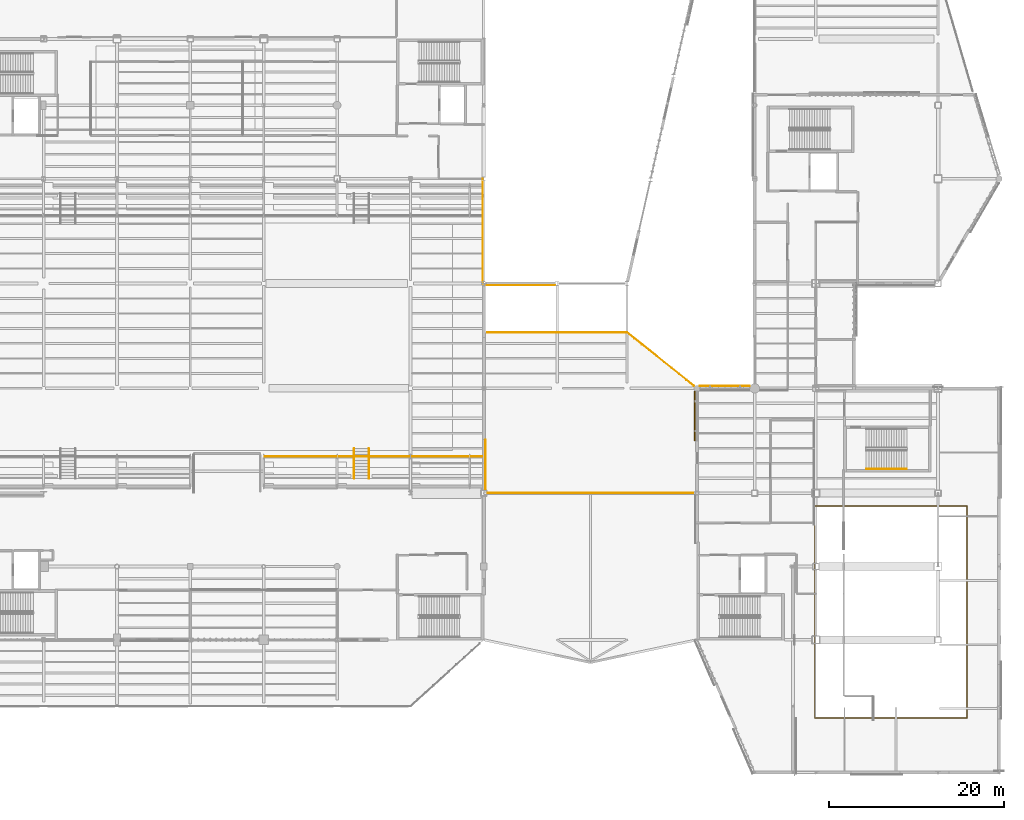
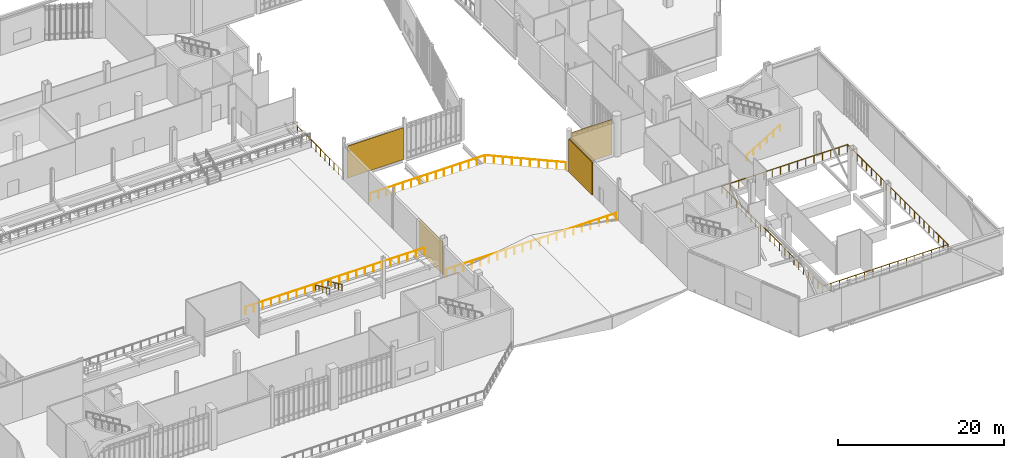
# One storey, part 126 of 135: 8 railings, 2 coverings, 2 shading devices.
"""IFC4 building model written with IfcOpenShell, lengths in metres."""

from ifc_helpers import new_model, si_unit, direction, frame, origin, origin_2d, place, context, subcontext, project, spatial, rectangle, circle, extrude, material, layer, layer_set, type_object, element, save


model = new_model("IFC4")

# Units and contexts
model_context = context("Model", 3, precision=1e-05, world=origin(), true_north=direction((0.0, 1.0)))
body_context = subcontext(model_context, "Body", "Model", "MODEL_VIEW")
ifc_project = project(units=[si_unit("LENGTHUNIT", "METRE"), si_unit("AREAUNIT", "SQUARE_METRE"), si_unit("VOLUMEUNIT", "CUBIC_METRE"), si_unit("PLANEANGLEUNIT", "RADIAN"), si_unit("MASSUNIT", "GRAM", prefix="KILO")], contexts=[model_context])

# Site, building, storey
site_placement = place(None, origin())
site = spatial("IfcSite", under=ifc_project, at=site_placement, CompositionType="ELEMENT")
building_placement = place(site_placement, origin())
building = spatial("IfcBuilding", under=site, at=building_placement, Name="Larkvane Passage Sports Hall", CompositionType="ELEMENT")
storey_placement = place(building_placement, frame((0.0, 0.0, 10.800048828125)))
storey = spatial("IfcBuildingStorey", under=building, at=storey_placement, Name="L02", CompositionType="ELEMENT", Elevation=10.800048828125)

# Coverings
ifc_material_1 = material(Name="Perforated anodised aluminium 5052-H32", Category="aluminium")
ifc_layer_1 = layer(ifc_material_1, 0.050048828125)
ifc_layer_set_1 = layer_set([ifc_layer_1], Name="Perforated anodised aluminium 5052-H32")
covering_type = type_object("IfcCoveringType", Name="COV-MESH-VEIL", PredefinedType="CLADDING", material=ifc_layer_set_1)
covering_1_placement = place(storey_placement, frame((97.82568359375, 63.402587890625, 0.074951171875), z_axis=(0.0, 0.0, 1.0), x_axis=(-1.0, 0.0, 0.0)))
element("IfcCovering", 1, at=covering_1_placement, inside=storey, type_object=covering_type, Name="Perforated cladding cassette L02-140", PredefinedType="CLADDING", context=body_context, shape_type="SweptSolid", body=[
    extrude(rectangle(XDim=7.8515625, YDim=0.050048828125, at=origin_2d()), origin(), (0.0, 0.0, 1.0), 4.7060546875),
])
covering_2_placement = place(storey_placement, frame((93.797607421875, 42.855712890625, 0.0751953125), z_axis=(0.0, 0.0, 1.0), x_axis=(0.0, -1.0, 0.0)))
element("IfcCovering", 2, at=covering_2_placement, inside=storey, type_object=covering_type, Name="Perforated cladding cassette L02-144", PredefinedType="CLADDING", context=body_context, shape_type="SweptSolid", body=[
    extrude(rectangle(XDim=5.719482421875, YDim=0.050048828125, at=origin_2d()), origin(), (0.0, 0.0, 1.0), 4.805908203125),
])

# Railings
ifc_material_2 = material(Name="Laminated toughened glass and stainless steel S355JR", Category="steel")
railing_type_1 = type_object("IfcRailingType", Name="RL-BALUST-1120", PredefinedType="BALUSTRADE", material=ifc_material_2)
railing_1_placement = place(storey_placement, frame((131.47998046875, 13.8798828125, 0.0)))
element("IfcRailing", 3, at=railing_1_placement, inside=storey, type_object=railing_type_1, Name="Atrium void balustrade L02-012", PredefinedType="BALUSTRADE", context=body_context, shape_type="SweptSolid", body=[
    extrude(circle(Radius=0.02392578125, at=origin_2d()), frame((0.001953125, 0.0, 1.09619140625), z_axis=(1.0, 0.0, 0.0), x_axis=(0.0, 1.0, 0.0)), (0.0, 0.0, 1.0), 17.43603515625),
    extrude(circle(Radius=0.02392578125, at=origin_2d()), frame((17.43994140625, 0.001953125, 1.09619140625), z_axis=(0.0, 1.0, 0.0), x_axis=(-1.0, 0.0, 0.0)), (0.0, 0.0, 1.0), 24.236328125),
    extrude(circle(Radius=0.02392578125, at=origin_2d()), frame((17.43798828125, 24.240234375, 1.09619140625), z_axis=(-1.0, 0.0, 0.0), x_axis=(0.0, -1.0, 0.0)), (0.0, 0.0, 1.0), 17.43603515625),
    extrude(circle(Radius=0.02392578125, at=origin_2d()), frame((0.0, 24.23828125, 1.09619140625), z_axis=(0.0, -1.0, 0.0), x_axis=(1.0, 0.0, 0.0)), (0.0, 0.0, 1.0), 24.236328125),
    extrude(circle(Radius=0.02099609375, at=origin_2d()), origin(), (0.0, 0.0, 1.0), 1.072021484375),
    extrude(circle(Radius=0.02099609375, at=origin_2d()), frame((1.16259765625, 0.0, 0.0)), (0.0, 0.0, 1.0), 1.072021484375),
    extrude(circle(Radius=0.02099609375, at=origin_2d()), frame((2.325439453125, 0.0, 0.0)), (0.0, 0.0, 1.0), 1.072021484375),
    extrude(circle(Radius=0.02099609375, at=origin_2d()), frame((3.488037109375, 0.0, 0.0)), (0.0, 0.0, 1.0), 1.072021484375),
    extrude(circle(Radius=0.02099609375, at=origin_2d()), frame((4.650634765625, 0.0, 0.0)), (0.0, 0.0, 1.0), 1.072021484375),
    extrude(circle(Radius=0.02099609375, at=origin_2d()), frame((5.813232421875, 0.0, 0.0)), (0.0, 0.0, 1.0), 1.072021484375),
    extrude(circle(Radius=0.02099609375, at=origin_2d()), frame((6.97607421875, 0.0, 0.0)), (0.0, 0.0, 1.0), 1.072021484375),
    extrude(circle(Radius=0.02099609375, at=origin_2d()), frame((8.138671875, 0.0, 0.0)), (0.0, 0.0, 1.0), 1.072021484375),
    extrude(circle(Radius=0.02099609375, at=origin_2d()), frame((9.30126953125, 0.0, 0.0)), (0.0, 0.0, 1.0), 1.072021484375),
    extrude(circle(Radius=0.02099609375, at=origin_2d()), frame((10.4638671875, 0.0, 0.0)), (0.0, 0.0, 1.0), 1.072021484375),
    extrude(circle(Radius=0.02099609375, at=origin_2d()), frame((11.626708984375, 0.0, 0.0)), (0.0, 0.0, 1.0), 1.072021484375),
    extrude(circle(Radius=0.02099609375, at=origin_2d()), frame((12.789306640625, 0.0, 0.0)), (0.0, 0.0, 1.0), 1.072021484375),
    extrude(circle(Radius=0.02099609375, at=origin_2d()), frame((13.951904296875, 0.0, 0.0)), (0.0, 0.0, 1.0), 1.072021484375),
    extrude(circle(Radius=0.02099609375, at=origin_2d()), frame((15.114501953125, 0.0, 0.0)), (0.0, 0.0, 1.0), 1.072021484375),
    extrude(circle(Radius=0.02099609375, at=origin_2d()), frame((16.27734375, 0.0, 0.0)), (0.0, 0.0, 1.0), 1.072021484375),
    extrude(circle(Radius=0.02099609375, at=origin_2d()), frame((17.43994140625, 0.0, 0.0)), (0.0, 0.0, 1.0), 1.072021484375),
    extrude(circle(Radius=0.02099609375, at=origin_2d()), frame((17.43994140625, 1.154296875, 0.0)), (0.0, 0.0, 1.0), 1.072021484375),
    extrude(circle(Radius=0.02099609375, at=origin_2d()), frame((17.43994140625, 2.30859375, 0.0)), (0.0, 0.0, 1.0), 1.072021484375),
    extrude(circle(Radius=0.02099609375, at=origin_2d()), frame((17.43994140625, 3.462890625, 0.0)), (0.0, 0.0, 1.0), 1.072021484375),
    extrude(circle(Radius=0.02099609375, at=origin_2d()), frame((17.43994140625, 4.6171875, 0.0)), (0.0, 0.0, 1.0), 1.072021484375),
    extrude(circle(Radius=0.02099609375, at=origin_2d()), frame((17.43994140625, 5.771484375, 0.0)), (0.0, 0.0, 1.0), 1.072021484375),
    extrude(circle(Radius=0.02099609375, at=origin_2d()), frame((17.43994140625, 6.92578125, 0.0)), (0.0, 0.0, 1.0), 1.072021484375),
    extrude(circle(Radius=0.02099609375, at=origin_2d()), frame((17.43994140625, 8.080078125, 0.0)), (0.0, 0.0, 1.0), 1.072021484375),
    extrude(circle(Radius=0.02099609375, at=origin_2d()), frame((17.43994140625, 9.234375, 0.0)), (0.0, 0.0, 1.0), 1.072021484375),
    extrude(circle(Radius=0.02099609375, at=origin_2d()), frame((17.43994140625, 10.388671875, 0.0)), (0.0, 0.0, 1.0), 1.072021484375),
    extrude(circle(Radius=0.02099609375, at=origin_2d()), frame((17.43994140625, 11.54296875, 0.0)), (0.0, 0.0, 1.0), 1.072021484375),
    extrude(circle(Radius=0.02099609375, at=origin_2d()), frame((17.43994140625, 12.697265625, 0.0)), (0.0, 0.0, 1.0), 1.072021484375),
    extrude(circle(Radius=0.02099609375, at=origin_2d()), frame((17.43994140625, 13.8515625, 0.0)), (0.0, 0.0, 1.0), 1.072021484375),
    extrude(circle(Radius=0.02099609375, at=origin_2d()), frame((17.43994140625, 15.005859375, 0.0)), (0.0, 0.0, 1.0), 1.072021484375),
    extrude(circle(Radius=0.02099609375, at=origin_2d()), frame((17.43994140625, 16.16015625, 0.0)), (0.0, 0.0, 1.0), 1.072021484375),
    extrude(circle(Radius=0.02099609375, at=origin_2d()), frame((17.43994140625, 17.314453125, 0.0)), (0.0, 0.0, 1.0), 1.072021484375),
    extrude(circle(Radius=0.02099609375, at=origin_2d()), frame((17.43994140625, 18.46875, 0.0)), (0.0, 0.0, 1.0), 1.072021484375),
    extrude(circle(Radius=0.02099609375, at=origin_2d()), frame((17.43994140625, 19.623046875, 0.0)), (0.0, 0.0, 1.0), 1.072021484375),
    extrude(circle(Radius=0.02099609375, at=origin_2d()), frame((17.43994140625, 20.77734375, 0.0)), (0.0, 0.0, 1.0), 1.072021484375),
    extrude(circle(Radius=0.02099609375, at=origin_2d()), frame((17.43994140625, 21.931640625, 0.0)), (0.0, 0.0, 1.0), 1.072021484375),
    extrude(circle(Radius=0.02099609375, at=origin_2d()), frame((17.43994140625, 23.0859375, 0.0)), (0.0, 0.0, 1.0), 1.072021484375),
    extrude(circle(Radius=0.02099609375, at=origin_2d()), frame((17.43994140625, 24.240234375, 0.0)), (0.0, 0.0, 1.0), 1.072021484375),
    extrude(circle(Radius=0.02099609375, at=origin_2d()), frame((16.27734375, 24.240234375, 0.0)), (0.0, 0.0, 1.0), 1.072021484375),
    extrude(circle(Radius=0.02099609375, at=origin_2d()), frame((15.114501953125, 24.240234375, 0.0)), (0.0, 0.0, 1.0), 1.072021484375),
    extrude(circle(Radius=0.02099609375, at=origin_2d()), frame((13.951904296875, 24.240234375, 0.0)), (0.0, 0.0, 1.0), 1.072021484375),
    extrude(circle(Radius=0.02099609375, at=origin_2d()), frame((12.789306640625, 24.240234375, 0.0)), (0.0, 0.0, 1.0), 1.072021484375),
    extrude(circle(Radius=0.02099609375, at=origin_2d()), frame((11.626708984375, 24.240234375, 0.0)), (0.0, 0.0, 1.0), 1.072021484375),
    extrude(circle(Radius=0.02099609375, at=origin_2d()), frame((10.4638671875, 24.240234375, 0.0)), (0.0, 0.0, 1.0), 1.072021484375),
    extrude(circle(Radius=0.02099609375, at=origin_2d()), frame((9.30126953125, 24.240234375, 0.0)), (0.0, 0.0, 1.0), 1.072021484375),
    extrude(circle(Radius=0.02099609375, at=origin_2d()), frame((8.138671875, 24.240234375, 0.0)), (0.0, 0.0, 1.0), 1.072021484375),
    extrude(circle(Radius=0.02099609375, at=origin_2d()), frame((6.97607421875, 24.240234375, 0.0)), (0.0, 0.0, 1.0), 1.072021484375),
    extrude(circle(Radius=0.02099609375, at=origin_2d()), frame((5.813232421875, 24.240234375, 0.0)), (0.0, 0.0, 1.0), 1.072021484375),
    extrude(circle(Radius=0.02099609375, at=origin_2d()), frame((4.650634765625, 24.240234375, 0.0)), (0.0, 0.0, 1.0), 1.072021484375),
    extrude(circle(Radius=0.02099609375, at=origin_2d()), frame((3.488037109375, 24.240234375, 0.0)), (0.0, 0.0, 1.0), 1.072021484375),
    extrude(circle(Radius=0.02099609375, at=origin_2d()), frame((2.325439453125, 24.240234375, 0.0)), (0.0, 0.0, 1.0), 1.072021484375),
    extrude(circle(Radius=0.02099609375, at=origin_2d()), frame((1.16259765625, 24.240234375, 0.0)), (0.0, 0.0, 1.0), 1.072021484375),
    extrude(circle(Radius=0.02099609375, at=origin_2d()), frame((0.0, 24.240234375, 0.0)), (0.0, 0.0, 1.0), 1.072021484375),
    extrude(circle(Radius=0.02099609375, at=origin_2d()), frame((0.0, 23.0859375, 0.0)), (0.0, 0.0, 1.0), 1.072021484375),
    extrude(circle(Radius=0.02099609375, at=origin_2d()), frame((0.0, 21.931640625, 0.0)), (0.0, 0.0, 1.0), 1.072021484375),
    extrude(circle(Radius=0.02099609375, at=origin_2d()), frame((0.0, 20.77734375, 0.0)), (0.0, 0.0, 1.0), 1.072021484375),
    extrude(circle(Radius=0.02099609375, at=origin_2d()), frame((0.0, 19.623046875, 0.0)), (0.0, 0.0, 1.0), 1.072021484375),
    extrude(circle(Radius=0.02099609375, at=origin_2d()), frame((0.0, 18.46875, 0.0)), (0.0, 0.0, 1.0), 1.072021484375),
    extrude(circle(Radius=0.02099609375, at=origin_2d()), frame((0.0, 17.314453125, 0.0)), (0.0, 0.0, 1.0), 1.072021484375),
    extrude(circle(Radius=0.02099609375, at=origin_2d()), frame((0.0, 16.16015625, 0.0)), (0.0, 0.0, 1.0), 1.072021484375),
    extrude(circle(Radius=0.02099609375, at=origin_2d()), frame((0.0, 15.005859375, 0.0)), (0.0, 0.0, 1.0), 1.072021484375),
    extrude(circle(Radius=0.02099609375, at=origin_2d()), frame((0.0, 13.8515625, 0.0)), (0.0, 0.0, 1.0), 1.072021484375),
    extrude(circle(Radius=0.02099609375, at=origin_2d()), frame((0.0, 12.697265625, 0.0)), (0.0, 0.0, 1.0), 1.072021484375),
    extrude(circle(Radius=0.02099609375, at=origin_2d()), frame((0.0, 11.54296875, 0.0)), (0.0, 0.0, 1.0), 1.072021484375),
    extrude(circle(Radius=0.02099609375, at=origin_2d()), frame((0.0, 10.388671875, 0.0)), (0.0, 0.0, 1.0), 1.072021484375),
    extrude(circle(Radius=0.02099609375, at=origin_2d()), frame((0.0, 9.234375, 0.0)), (0.0, 0.0, 1.0), 1.072021484375),
    extrude(circle(Radius=0.02099609375, at=origin_2d()), frame((0.0, 8.080078125, 0.0)), (0.0, 0.0, 1.0), 1.072021484375),
    extrude(circle(Radius=0.02099609375, at=origin_2d()), frame((0.0, 6.92578125, 0.0)), (0.0, 0.0, 1.0), 1.072021484375),
    extrude(circle(Radius=0.02099609375, at=origin_2d()), frame((0.0, 5.771484375, 0.0)), (0.0, 0.0, 1.0), 1.072021484375),
    extrude(circle(Radius=0.02099609375, at=origin_2d()), frame((0.0, 4.6171875, 0.0)), (0.0, 0.0, 1.0), 1.072021484375),
    extrude(circle(Radius=0.02099609375, at=origin_2d()), frame((0.0, 3.462890625, 0.0)), (0.0, 0.0, 1.0), 1.072021484375),
    extrude(circle(Radius=0.02099609375, at=origin_2d()), frame((0.0, 2.30859375, 0.0)), (0.0, 0.0, 1.0), 1.072021484375),
    extrude(circle(Radius=0.02099609375, at=origin_2d()), frame((0.0, 1.154296875, 0.0)), (0.0, 0.0, 1.0), 1.072021484375),
])
railing_2_placement = place(storey_placement, frame((93.47998046875, 63.550048828125, 0.0)))
element("IfcRailing", 4, at=railing_2_placement, inside=storey, type_object=railing_type_1, Name="Arena east overlook balustrade L02", PredefinedType="BALUSTRADE", context=body_context, shape_type="SweptSolid", body=[
    extrude(circle(Radius=0.02392578125, at=origin_2d()), frame((0.0, 0.001953125, 1.09619140625), z_axis=(0.0, 1.0, 0.0), x_axis=(-1.0, 0.0, 0.0)), (0.0, 0.0, 1.0), 12.095947265625),
    extrude(circle(Radius=0.02099609375, at=origin_2d()), origin(), (0.0, 0.0, 1.0), 1.072021484375),
    extrude(circle(Radius=0.02099609375, at=origin_2d()), frame((0.0, 1.10009765625, 0.0)), (0.0, 0.0, 1.0), 1.072021484375),
    extrude(circle(Radius=0.02099609375, at=origin_2d()), frame((0.0, 2.199951171875, 0.0)), (0.0, 0.0, 1.0), 1.072021484375),
    extrude(circle(Radius=0.02099609375, at=origin_2d()), frame((0.0, 3.300048828125, 0.0)), (0.0, 0.0, 1.0), 1.072021484375),
    extrude(circle(Radius=0.02099609375, at=origin_2d()), frame((0.0, 4.39990234375, 0.0)), (0.0, 0.0, 1.0), 1.072021484375),
    extrude(circle(Radius=0.02099609375, at=origin_2d()), frame((0.0, 5.5, 0.0)), (0.0, 0.0, 1.0), 1.072021484375),
    extrude(circle(Radius=0.02099609375, at=origin_2d()), frame((0.0, 6.599853515625, 0.0)), (0.0, 0.0, 1.0), 1.072021484375),
    extrude(circle(Radius=0.02099609375, at=origin_2d()), frame((0.0, 7.699951171875, 0.0)), (0.0, 0.0, 1.0), 1.072021484375),
    extrude(circle(Radius=0.02099609375, at=origin_2d()), frame((0.0, 8.7998046875, 0.0)), (0.0, 0.0, 1.0), 1.072021484375),
    extrude(circle(Radius=0.02099609375, at=origin_2d()), frame((0.0, 9.89990234375, 0.0)), (0.0, 0.0, 1.0), 1.072021484375),
    extrude(circle(Radius=0.02099609375, at=origin_2d()), frame((0.0, 10.999755859375, 0.0)), (0.0, 0.0, 1.0), 1.072021484375),
    extrude(circle(Radius=0.02099609375, at=origin_2d()), frame((0.0, 12.099853515625, 0.0)), (0.0, 0.0, 1.0), 1.072021484375),
])
railing_3_placement = place(storey_placement, frame((68.5, 43.800048828125, 0.849853515625)))
element("IfcRailing", 5, at=railing_3_placement, inside=storey, type_object=railing_type_1, Name="Spectator stand front sightline guard SE", PredefinedType="BALUSTRADE", context=body_context, shape_type="SweptSolid", body=[
    extrude(circle(Radius=0.02392578125, at=origin_2d()), frame((0.001953125, 0.0, 1.09619140625), z_axis=(1.0, 0.0, 0.0), x_axis=(0.0, 1.0, 0.0)), (0.0, 0.0, 1.0), 24.89599609375),
    extrude(circle(Radius=0.02099609375, at=origin_2d()), origin(), (0.0, 0.0, 1.0), 1.072021484375),
    extrude(circle(Radius=0.02099609375, at=origin_2d()), frame((1.185791015625, 0.0, 0.0)), (0.0, 0.0, 1.0), 1.072021484375),
    extrude(circle(Radius=0.02099609375, at=origin_2d()), frame((2.371337890625, 0.0, 0.0)), (0.0, 0.0, 1.0), 1.072021484375),
    extrude(circle(Radius=0.02099609375, at=origin_2d()), frame((3.55712890625, 0.0, 0.0)), (0.0, 0.0, 1.0), 1.072021484375),
    extrude(circle(Radius=0.02099609375, at=origin_2d()), frame((4.742919921875, 0.0, 0.0)), (0.0, 0.0, 1.0), 1.072021484375),
    extrude(circle(Radius=0.02099609375, at=origin_2d()), frame((5.928466796875, 0.0, 0.0)), (0.0, 0.0, 1.0), 1.072021484375),
    extrude(circle(Radius=0.02099609375, at=origin_2d()), frame((7.1142578125, 0.0, 0.0)), (0.0, 0.0, 1.0), 1.072021484375),
    extrude(circle(Radius=0.02099609375, at=origin_2d()), frame((8.300048828125, 0.0, 0.0)), (0.0, 0.0, 1.0), 1.072021484375),
    extrude(circle(Radius=0.02099609375, at=origin_2d()), frame((9.485595703125, 0.0, 0.0)), (0.0, 0.0, 1.0), 1.072021484375),
    extrude(circle(Radius=0.02099609375, at=origin_2d()), frame((10.67138671875, 0.0, 0.0)), (0.0, 0.0, 1.0), 1.072021484375),
    extrude(circle(Radius=0.02099609375, at=origin_2d()), frame((11.857177734375, 0.0, 0.0)), (0.0, 0.0, 1.0), 1.072021484375),
    extrude(circle(Radius=0.02099609375, at=origin_2d()), frame((13.042724609375, 0.0, 0.0)), (0.0, 0.0, 1.0), 1.072021484375),
    extrude(circle(Radius=0.02099609375, at=origin_2d()), frame((14.228515625, 0.0, 0.0)), (0.0, 0.0, 1.0), 1.072021484375),
    extrude(circle(Radius=0.02099609375, at=origin_2d()), frame((15.414306640625, 0.0, 0.0)), (0.0, 0.0, 1.0), 1.072021484375),
    extrude(circle(Radius=0.02099609375, at=origin_2d()), frame((16.599853515625, 0.0, 0.0)), (0.0, 0.0, 1.0), 1.072021484375),
    extrude(circle(Radius=0.02099609375, at=origin_2d()), frame((17.78564453125, 0.0, 0.0)), (0.0, 0.0, 1.0), 1.072021484375),
    extrude(circle(Radius=0.02099609375, at=origin_2d()), frame((18.971435546875, 0.0, 0.0)), (0.0, 0.0, 1.0), 1.072021484375),
    extrude(circle(Radius=0.02099609375, at=origin_2d()), frame((20.156982421875, 0.0, 0.0)), (0.0, 0.0, 1.0), 1.072021484375),
    extrude(circle(Radius=0.02099609375, at=origin_2d()), frame((21.3427734375, 0.0, 0.0)), (0.0, 0.0, 1.0), 1.072021484375),
    extrude(circle(Radius=0.02099609375, at=origin_2d()), frame((22.528564453125, 0.0, 0.0)), (0.0, 0.0, 1.0), 1.072021484375),
    extrude(circle(Radius=0.02099609375, at=origin_2d()), frame((23.714111328125, 0.0, 0.0)), (0.0, 0.0, 1.0), 1.072021484375),
    extrude(circle(Radius=0.02099609375, at=origin_2d()), frame((24.89990234375, 0.0, 0.0)), (0.0, 0.0, 1.0), 1.072021484375),
])
ifc_material_3 = material(Name="Steel S355JR", Category="steel")
railing_type_2 = type_object("IfcRailingType", Name="RL-GUARD-1120", PredefinedType="GUARDRAIL", material=ifc_material_3)
railing_4_placement = place(storey_placement, frame((94.02001953125, 39.60009765625, 0.0)))
element("IfcRailing", 6, at=railing_4_placement, inside=storey, type_object=railing_type_2, Name="Terrace perimeter guardrail L02-007", PredefinedType="GUARDRAIL", context=body_context, shape_type="SweptSolid", body=[
    extrude(circle(Radius=0.02392578125, at=origin_2d()), frame((0.001953125, 0.0, 1.09619140625), z_axis=(1.0, 0.0, 0.0), x_axis=(0.0, 1.0, 0.0)), (0.0, 0.0, 1.0), 23.55615234375),
    extrude(circle(Radius=0.02099609375, at=origin_2d()), origin(), (0.0, 0.0, 1.0), 1.072021484375),
    extrude(circle(Radius=0.02099609375, at=origin_2d()), frame((1.177978515625, 0.0, 0.0)), (0.0, 0.0, 1.0), 1.072021484375),
    extrude(circle(Radius=0.02099609375, at=origin_2d()), frame((2.35595703125, 0.0, 0.0)), (0.0, 0.0, 1.0), 1.072021484375),
    extrude(circle(Radius=0.02099609375, at=origin_2d()), frame((3.533935546875, 0.0, 0.0)), (0.0, 0.0, 1.0), 1.072021484375),
    extrude(circle(Radius=0.02099609375, at=origin_2d()), frame((4.7119140625, 0.0, 0.0)), (0.0, 0.0, 1.0), 1.072021484375),
    extrude(circle(Radius=0.02099609375, at=origin_2d()), frame((5.89013671875, 0.0, 0.0)), (0.0, 0.0, 1.0), 1.072021484375),
    extrude(circle(Radius=0.02099609375, at=origin_2d()), frame((7.068115234375, 0.0, 0.0)), (0.0, 0.0, 1.0), 1.072021484375),
    extrude(circle(Radius=0.02099609375, at=origin_2d()), frame((8.24609375, 0.0, 0.0)), (0.0, 0.0, 1.0), 1.072021484375),
    extrude(circle(Radius=0.02099609375, at=origin_2d()), frame((9.424072265625, 0.0, 0.0)), (0.0, 0.0, 1.0), 1.072021484375),
    extrude(circle(Radius=0.02099609375, at=origin_2d()), frame((10.60205078125, 0.0, 0.0)), (0.0, 0.0, 1.0), 1.072021484375),
    extrude(circle(Radius=0.02099609375, at=origin_2d()), frame((11.780029296875, 0.0, 0.0)), (0.0, 0.0, 1.0), 1.072021484375),
    extrude(circle(Radius=0.02099609375, at=origin_2d()), frame((12.9580078125, 0.0, 0.0)), (0.0, 0.0, 1.0), 1.072021484375),
    extrude(circle(Radius=0.02099609375, at=origin_2d()), frame((14.135986328125, 0.0, 0.0)), (0.0, 0.0, 1.0), 1.072021484375),
    extrude(circle(Radius=0.02099609375, at=origin_2d()), frame((15.31396484375, 0.0, 0.0)), (0.0, 0.0, 1.0), 1.072021484375),
    extrude(circle(Radius=0.02099609375, at=origin_2d()), frame((16.491943359375, 0.0, 0.0)), (0.0, 0.0, 1.0), 1.072021484375),
    extrude(circle(Radius=0.02099609375, at=origin_2d()), frame((17.669921875, 0.0, 0.0)), (0.0, 0.0, 1.0), 1.072021484375),
    extrude(circle(Radius=0.02099609375, at=origin_2d()), frame((18.84814453125, 0.0, 0.0)), (0.0, 0.0, 1.0), 1.072021484375),
    extrude(circle(Radius=0.02099609375, at=origin_2d()), frame((20.026123046875, 0.0, 0.0)), (0.0, 0.0, 1.0), 1.072021484375),
    extrude(circle(Radius=0.02099609375, at=origin_2d()), frame((21.2041015625, 0.0, 0.0)), (0.0, 0.0, 1.0), 1.072021484375),
    extrude(circle(Radius=0.02099609375, at=origin_2d()), frame((22.382080078125, 0.0, 0.0)), (0.0, 0.0, 1.0), 1.072021484375),
    extrude(circle(Radius=0.02099609375, at=origin_2d()), frame((23.56005859375, 0.0, 0.0)), (0.0, 0.0, 1.0), 1.072021484375),
])
railing_5_placement = place(storey_placement, frame((117.672119140625, 51.862060546875, 0.0)))
element("IfcRailing", 7, at=railing_5_placement, inside=storey, type_object=railing_type_2, Name="Terrace perimeter guardrail L02-008", PredefinedType="GUARDRAIL", context=body_context, shape_type="SweptSolid", body=[
    extrude(circle(Radius=0.02392578125, at=origin_2d()), frame((-0.00146484375, 0.001220703125, 1.09619140625), z_axis=(-0.780856688192, 0.624710198817, 0.0), x_axis=(-0.624710198817, -0.780856688192, 0.0)), (0.0, 0.0, 1.0), 9.8212890625),
    extrude(circle(Radius=0.02392578125, at=origin_2d()), frame((-7.674072265625, 6.137939453125, 1.09619140625), z_axis=(-1.0, 0.0, 0.0), x_axis=(0.0, -1.0, 0.0)), (0.0, 0.0, 1.0), 15.97607421875),
    extrude(circle(Radius=0.02099609375, at=origin_2d()), origin(), (0.0, 0.0, 1.0), 1.072021484375),
    extrude(circle(Radius=0.02099609375, at=origin_2d()), frame((-0.8525390625, 0.681884765625, 0.0)), (0.0, 0.0, 1.0), 1.072021484375),
    extrude(circle(Radius=0.02099609375, at=origin_2d()), frame((-1.704833984375, 1.364013671875, 0.0)), (0.0, 0.0, 1.0), 1.072021484375),
    extrude(circle(Radius=0.02099609375, at=origin_2d()), frame((-2.557373046875, 2.0458984375, 0.0)), (0.0, 0.0, 1.0), 1.072021484375),
    extrude(circle(Radius=0.02099609375, at=origin_2d()), frame((-3.409912109375, 2.72802734375, 0.0)), (0.0, 0.0, 1.0), 1.072021484375),
    extrude(circle(Radius=0.02099609375, at=origin_2d()), frame((-4.26220703125, 3.409912109375, 0.0)), (0.0, 0.0, 1.0), 1.072021484375),
    extrude(circle(Radius=0.02099609375, at=origin_2d()), frame((-5.11474609375, 4.092041015625, 0.0)), (0.0, 0.0, 1.0), 1.072021484375),
    extrude(circle(Radius=0.02099609375, at=origin_2d()), frame((-5.96728515625, 4.77392578125, 0.0)), (0.0, 0.0, 1.0), 1.072021484375),
    extrude(circle(Radius=0.02099609375, at=origin_2d()), frame((-6.819580078125, 5.4560546875, 0.0)), (0.0, 0.0, 1.0), 1.072021484375),
    extrude(circle(Radius=0.02099609375, at=origin_2d()), frame((-7.672119140625, 6.137939453125, 0.0)), (0.0, 0.0, 1.0), 1.072021484375),
    extrude(circle(Radius=0.02099609375, at=origin_2d()), frame((-8.8134765625, 6.137939453125, 0.0)), (0.0, 0.0, 1.0), 1.072021484375),
    extrude(circle(Radius=0.02099609375, at=origin_2d()), frame((-9.955078125, 6.137939453125, 0.0)), (0.0, 0.0, 1.0), 1.072021484375),
    extrude(circle(Radius=0.02099609375, at=origin_2d()), frame((-11.096435546875, 6.137939453125, 0.0)), (0.0, 0.0, 1.0), 1.072021484375),
    extrude(circle(Radius=0.02099609375, at=origin_2d()), frame((-12.23779296875, 6.137939453125, 0.0)), (0.0, 0.0, 1.0), 1.072021484375),
    extrude(circle(Radius=0.02099609375, at=origin_2d()), frame((-13.379150390625, 6.137939453125, 0.0)), (0.0, 0.0, 1.0), 1.072021484375),
    extrude(circle(Radius=0.02099609375, at=origin_2d()), frame((-14.520751953125, 6.137939453125, 0.0)), (0.0, 0.0, 1.0), 1.072021484375),
    extrude(circle(Radius=0.02099609375, at=origin_2d()), frame((-15.662109375, 6.137939453125, 0.0)), (0.0, 0.0, 1.0), 1.072021484375),
    extrude(circle(Radius=0.02099609375, at=origin_2d()), frame((-16.803466796875, 6.137939453125, 0.0)), (0.0, 0.0, 1.0), 1.072021484375),
    extrude(circle(Radius=0.02099609375, at=origin_2d()), frame((-17.945068359375, 6.137939453125, 0.0)), (0.0, 0.0, 1.0), 1.072021484375),
    extrude(circle(Radius=0.02099609375, at=origin_2d()), frame((-19.08642578125, 6.137939453125, 0.0)), (0.0, 0.0, 1.0), 1.072021484375),
    extrude(circle(Radius=0.02099609375, at=origin_2d()), frame((-20.227783203125, 6.137939453125, 0.0)), (0.0, 0.0, 1.0), 1.072021484375),
    extrude(circle(Radius=0.02099609375, at=origin_2d()), frame((-21.369140625, 6.137939453125, 0.0)), (0.0, 0.0, 1.0), 1.072021484375),
    extrude(circle(Radius=0.02099609375, at=origin_2d()), frame((-22.5107421875, 6.137939453125, 0.0)), (0.0, 0.0, 1.0), 1.072021484375),
    extrude(circle(Radius=0.02099609375, at=origin_2d()), frame((-23.652099609375, 6.137939453125, 0.0)), (0.0, 0.0, 1.0), 1.072021484375),
])
ifc_material_4 = material(Name="Stainless steel S355JR", Category="steel")
railing_type_3 = type_object("IfcRailingType", Name="RL-HAND-920", PredefinedType="HANDRAIL", material=ifc_material_4)
railing_6_placement = place(storey_placement, frame((137.3798828125, 42.35009765625, 0.176513671875)))
element("IfcRailing", 8, at=railing_6_placement, inside=storey, type_object=railing_type_3, Name="L02 ST-07 stair handrail 1", PredefinedType="HANDRAIL", context=body_context, shape_type="SweptSolid", body=[
    extrude(circle(Radius=0.02392578125, at=origin_2d()), frame((0.001708984375, 0.0, 0.876953125), z_axis=(0.854275794217, 0.0, 0.51982003368), x_axis=(0.0, 1.0, 0.0)), (0.0, 0.0, 1.0), 5.427734375),
    extrude(circle(Radius=0.02099609375, at=origin_2d()), origin(), (0.0, 0.0, 1.0), 0.851806640625),
    extrude(circle(Radius=0.02099609375, at=origin_2d()), frame((0.927978515625, 0.0, 0.564697265625)), (0.0, 0.0, 1.0), 0.851806640625),
    extrude(circle(Radius=0.02099609375, at=origin_2d()), frame((1.85595703125, 0.0, 1.12939453125)), (0.0, 0.0, 1.0), 0.851806640625),
    extrude(circle(Radius=0.02099609375, at=origin_2d()), frame((2.7841796875, 0.0, 1.694091796875)), (0.0, 0.0, 1.0), 0.851806640625),
    extrude(circle(Radius=0.02099609375, at=origin_2d()), frame((3.712158203125, 0.0, 2.2587890625)), (0.0, 0.0, 1.0), 0.851806640625),
    extrude(circle(Radius=0.02099609375, at=origin_2d()), frame((4.64013671875, 0.0, 2.823486328125)), (0.0, 0.0, 1.0), 0.851806640625),
])
for number, where, name in (
    (9, (80.449951171875, 44.68994140625, 0.153564453125), "Spectator stair handrail ST-B2-L"),
    (10, (78.75, 44.68994140625, 0.153564453125), "Spectator stair handrail ST-B2-R"),
):
    element("IfcRailing", number, at=place(storey_placement, frame(where)), inside=storey, type_object=railing_type_3, Name=name, PredefinedType="HANDRAIL", context=body_context, shape_type="SweptSolid", body=[
        extrude(circle(Radius=0.02392578125, at=origin_2d()), frame((0.0, -0.001708984375, 0.876708984375), z_axis=(0.0, -0.91127635095, 0.411795352329), x_axis=(1.0, 0.0, 0.0)), (0.0, 0.0, 1.0), 3.726806640625),
        extrude(circle(Radius=0.02099609375, at=origin_2d()), origin(), (0.0, 0.0, 1.0), 0.851806640625),
        extrude(circle(Radius=0.02099609375, at=origin_2d()), frame((0.0, -0.85009765625, 0.384033203125)), (0.0, 0.0, 1.0), 0.851806640625),
        extrude(circle(Radius=0.02099609375, at=origin_2d()), frame((0.0, -1.699951171875, 0.76806640625)), (0.0, 0.0, 1.0), 0.851806640625),
        extrude(circle(Radius=0.02099609375, at=origin_2d()), frame((0.0, -2.5498046875, 1.15234375)), (0.0, 0.0, 1.0), 0.851806640625),
        extrude(circle(Radius=0.02099609375, at=origin_2d()), frame((0.0, -3.39990234375, 1.536376953125)), (0.0, 0.0, 1.0), 0.851806640625),
    ])

# Shading devices
ifc_material_5 = material(Name="Extruded aluminium 6063-T6", Category="aluminium")
ifc_layer_2 = layer(ifc_material_5, 0.1201171875)
ifc_layer_set_2 = layer_set([ifc_layer_2], Name="Extruded aluminium 6063-T6")
shading_device_type_1 = type_object("IfcShadingDeviceType", Name="SHD-LOUVRE-STORM", PredefinedType="JALOUSIE", material=ifc_layer_set_2)
shading_device_1_placement = place(storey_placement, frame((117.760009765625, 48.427001953125, 0.06005859375), z_axis=(0.0, 0.0, 1.0), x_axis=(0.0, 1.0, 0.0)))
element("IfcShadingDevice", 11, at=shading_device_1_placement, inside=storey, type_object=shading_device_type_1, Name="Solar veil screen L02-054", PredefinedType="JALOUSIE", context=body_context, shape_type="SweptSolid", body=[
    extrude(rectangle(XDim=5.654052734375, YDim=0.1201171875, at=origin_2d()), origin(), (0.0, 0.0, 1.0), 4.827880859375),
])
ifc_layer_3 = layer(ifc_material_1, 0.06005859375)
ifc_layer_set_3 = layer_set([ifc_layer_3], Name="Perforated anodised aluminium 5052-H32")
shading_device_type_2 = type_object("IfcShadingDeviceType", Name="SHD-VEIL-PERF", PredefinedType="SHUTTER", material=ifc_layer_set_3)
shading_device_2_placement = place(storey_placement, frame((121.199951171875, 51.840087890625, 0.06005859375), z_axis=(0.0, 0.0, 1.0), x_axis=(1.0, 0.0, 0.0)))
element("IfcShadingDevice", 12, at=shading_device_2_placement, inside=storey, type_object=shading_device_type_2, Name="Solar veil screen L02-055", PredefinedType="SHUTTER", context=body_context, shape_type="SweptSolid", body=[
    extrude(rectangle(XDim=5.7080078125, YDim=0.06005859375, at=origin_2d()), origin(), (0.0, 0.0, 1.0), 5.137939453125),
])

save(model, "model.ifc")
